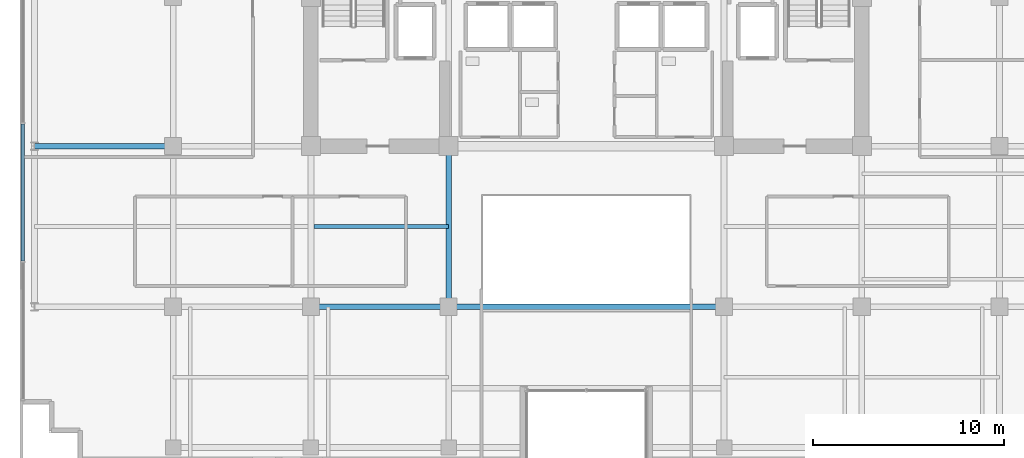
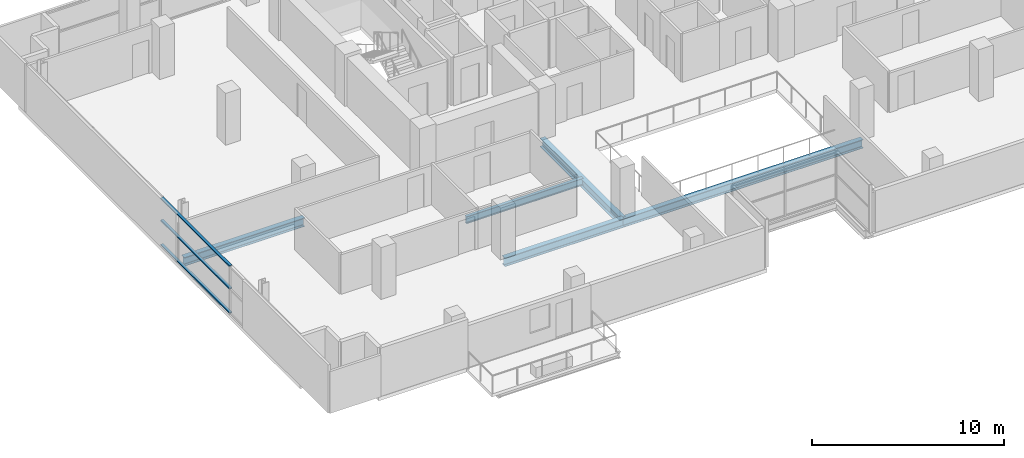
# One storey, part 7 of 25: 5 beams, 3 members, 1 element without a shape of its own.
"""IFC4 building model written with IfcOpenShell, lengths in metres."""

from ifc_helpers import new_model, si_unit, direction, frame, origin, origin_2d, place, context, subcontext, project, spatial, hollow_rectangle, i_section, extrude, source, transform, mapped, material, layer, layer_set, material_profile, profile_set, type_object, element, aggregate, save


model = new_model("IFC4")

# Units and contexts
model_context = context("Model", 3, precision=1e-05, world=origin(), true_north=direction((0.0, 1.0)))
body_context = subcontext(model_context, "Body", "Model", "MODEL_VIEW")
ifc_project = project(units=[si_unit("LENGTHUNIT", "METRE"), si_unit("AREAUNIT", "SQUARE_METRE"), si_unit("VOLUMEUNIT", "CUBIC_METRE"), si_unit("PLANEANGLEUNIT", "RADIAN"), si_unit("MASSUNIT", "GRAM", prefix="KILO")], contexts=[model_context])

# Site, building, storey
site_placement = place(None, origin())
site = spatial("IfcSite", under=ifc_project, at=site_placement, CompositionType="ELEMENT")
building_placement = place(site_placement, origin())
building = spatial("IfcBuilding", under=site, at=building_placement, Name="Zarnakvel Exchange Tower", CompositionType="ELEMENT")
storey_placement = place(building_placement, frame((0.0, 0.0, 100.0)))
storey = spatial("IfcBuildingStorey", under=building, at=storey_placement, Name="L27", CompositionType="ELEMENT", Elevation=100.0)

# Beams
ifc_material_1 = material(Name="Steel S355", Category="steel")
ifc_material_profile_1 = material_profile(ifc_material_1, i_section(OverallWidth=0.18994140625, OverallDepth=0.449951171875, WebThickness=0.009521484375, FlangeThickness=0.0146484375, FilletRadius=0.02099609375, at=origin_2d()))
ifc_profile_set_1 = profile_set([ifc_material_profile_1], Name="Steel S355")
beam_type_1 = type_object("IfcBeamType", Name="B-05", PredefinedType="JOIST", material=ifc_profile_set_1)
beam_1_placement = place(storey_placement, frame((-14.25, -5.39990234375, -0.449951171875), z_axis=(1.0, 0.0, 0.0), x_axis=(0.0, 1.0, 0.0)))
element("IfcBeam", 1, at=beam_1_placement, inside=storey, type_object=beam_type_1, Name="L27 Composite Floor Secondary Joist", PredefinedType="JOIST", context=body_context, shape_type="SweptSolid", body=[
    extrude(i_section(OverallWidth=0.18994140625, OverallDepth=0.449951171875, WebThickness=0.009521484375, FlangeThickness=0.0146484375, FilletRadius=0.02099609375, at=origin_2d()), origin(), (0.0, 0.0, 1.0), 7.050048828125),
])
ifc_material_profile_2 = material_profile(ifc_material_1, i_section(OverallWidth=0.300048828125, OverallDepth=0.550048828125, WebThickness=0.014892578125, FlangeThickness=0.029052734375, FilletRadius=0.027099609375, at=origin_2d()))
ifc_profile_set_2 = profile_set([ifc_material_profile_2], Name="Steel S355")
beam_type_2 = type_object("IfcBeamType", Name="G-05", PredefinedType="BEAM", material=ifc_profile_set_2)
beam_2_placement = place(storey_placement, frame((-14.39990234375, -9.60009765625, -0.5), z_axis=(1.0, 0.0, 0.0), x_axis=(0.0, 1.0, 0.0)))
element("IfcBeam", 2, at=beam_2_placement, inside=storey, type_object=beam_type_2, Name="L27 Tower E-W Frame Beam", PredefinedType="BEAM", context=body_context, shape_type="SweptSolid", body=[
    extrude(i_section(OverallWidth=0.300048828125, OverallDepth=0.550048828125, WebThickness=0.014892578125, FlangeThickness=0.029052734375, FilletRadius=0.027099609375, at=origin_2d()), origin(), (0.0, 0.0, 1.0), 7.199951171875),
])
beam_3_placement = place(storey_placement, frame((-7.199951171875, -9.60009765625, -0.5), z_axis=(1.0, 0.0, 0.0), x_axis=(0.0, 1.0, 0.0)))
element("IfcBeam", 3, at=beam_3_placement, inside=storey, type_object=beam_type_2, Name="L27 Tower E-W Frame Beam", PredefinedType="BEAM", context=body_context, shape_type="SweptSolid", body=[
    extrude(i_section(OverallWidth=0.300048828125, OverallDepth=0.550048828125, WebThickness=0.014892578125, FlangeThickness=0.029052734375, FilletRadius=0.027099609375, at=origin_2d()), origin(), (0.0, 0.0, 1.0), 14.39990234375),
])
beam_4_placement = place(storey_placement, frame((-28.85009765625, -1.199951171875, -0.5), z_axis=(1.0, 0.0, 0.0), x_axis=(0.0, 1.0, 0.0)))
element("IfcBeam", 4, at=beam_4_placement, inside=storey, type_object=beam_type_2, Name="L27 Tower E-W Frame Beam", PredefinedType="BEAM", context=body_context, shape_type="SweptSolid", body=[
    extrude(i_section(OverallWidth=0.300048828125, OverallDepth=0.550048828125, WebThickness=0.014892578125, FlangeThickness=0.029052734375, FilletRadius=0.027099609375, at=origin_2d()), origin(), (0.0, 0.0, 1.0), 7.25),
])
beam_5_placement = place(storey_placement, frame((-7.199951171875, -9.60009765625, -0.5), z_axis=(0.0, 1.0, 0.0), x_axis=(-1.0, 0.0, 0.0)))
element("IfcBeam", 5, at=beam_5_placement, inside=storey, type_object=beam_type_2, Name="L27 Tower N-S Frame Beam", PredefinedType="BEAM", context=body_context, shape_type="SweptSolid", body=[
    extrude(i_section(OverallWidth=0.300048828125, OverallDepth=0.550048828125, WebThickness=0.014892578125, FlangeThickness=0.029052734375, FilletRadius=0.027099609375, at=origin_2d()), origin(), (0.0, 0.0, 1.0), 8.400146484375),
])

# Curtain wall, members
ifc_material_2 = material(Name="Architectural Bronze Anodised Aluminium", Category="aluminium")
ifc_layer = layer(ifc_material_2, 0.199951171875)
ifc_layer_set = layer_set([ifc_layer], Name="Architectural Bronze Anodised Aluminium")
curtain_wall_type = type_object("IfcCurtainWallType", Name="CW-04", PredefinedType="NOTDEFINED", material=ifc_layer_set)
curtain_wall_placement = place(storey_placement, origin())
curtain_wall = element("IfcCurtainWall", 6, at=curtain_wall_placement, inside=storey, type_object=curtain_wall_type, Name="L27 Curtain Wall CW-L27-W1 (CW-04)", PredefinedType="NOTDEFINED")
ifc_material_profile_3 = material_profile(ifc_material_2, hollow_rectangle(XDim=0.159912109375, YDim=0.074951171875, WallThickness=0.00390625, at=origin_2d()))
ifc_profile_set_3 = profile_set([ifc_material_profile_3], Name="Architectural Bronze Anodised Aluminium")
member_type = type_object("IfcMemberType", Name="CWT-04", PredefinedType="USERDEFINED", material=ifc_profile_set_3)
shared_shape = source(origin(), body_context, "Body", "SweptSolid", [
    extrude(hollow_rectangle(XDim=0.159912109375, YDim=0.074951171875, WallThickness=0.00390625, at=origin_2d()), origin(), (0.0, 0.0, 1.0), 7.1748046875),
])
member_1_placement = place(storey_placement, frame((-29.4599609375, -7.21240234375, 0.03759765625), z_axis=(0.0, 1.0, 0.0), x_axis=(-1.0, 0.0, 0.0)))
member_1 = element("IfcMember", 7, at=member_1_placement, type_object=member_type, Name="CW-04 transom 2.1", ObjectType="TRANSOM", PredefinedType="USERDEFINED", context=body_context, shape_type="MappedRepresentation", body=[
    mapped(shared_shape, transform((0.0, 0.0, 0.0), x_axis=(1.0, 0.0, 0.0), y_axis=(0.0, 1.0, 0.0), z_axis=(0.0, 0.0, 1.0), scale=1.0)),
])
member_2_placement = place(storey_placement, frame((-29.4599609375, -7.21240234375, 1.588623046875), z_axis=(0.0, 1.0, 0.0), x_axis=(-1.0, 0.0, 0.0)))
member_2 = element("IfcMember", 8, at=member_2_placement, type_object=member_type, Name="CW-04 transom 2.2", ObjectType="TRANSOM", PredefinedType="USERDEFINED", context=body_context, shape_type="MappedRepresentation", body=[
    mapped(shared_shape, transform((0.0, 0.0, 0.0), x_axis=(1.0, 0.0, 0.0), y_axis=(0.0, 1.0, 0.0), z_axis=(0.0, 0.0, 1.0), scale=1.0)),
])
member_3_placement = place(storey_placement, frame((-29.4599609375, -7.21240234375, 3.017578125), z_axis=(0.0, 1.0, 0.0), x_axis=(-1.0, 0.0, 0.0)))
member_3 = element("IfcMember", 9, at=member_3_placement, type_object=member_type, Name="CW-04 transom 2.3", ObjectType="TRANSOM", PredefinedType="USERDEFINED", context=body_context, shape_type="MappedRepresentation", body=[
    mapped(shared_shape, transform((0.0, 0.0, 0.0), x_axis=(1.0, 0.0, 0.0), y_axis=(0.0, 1.0, 0.0), z_axis=(0.0, 0.0, 1.0), scale=1.0)),
])
aggregate(curtain_wall, [member_1, member_2, member_3])

save(model, "model.ifc")
